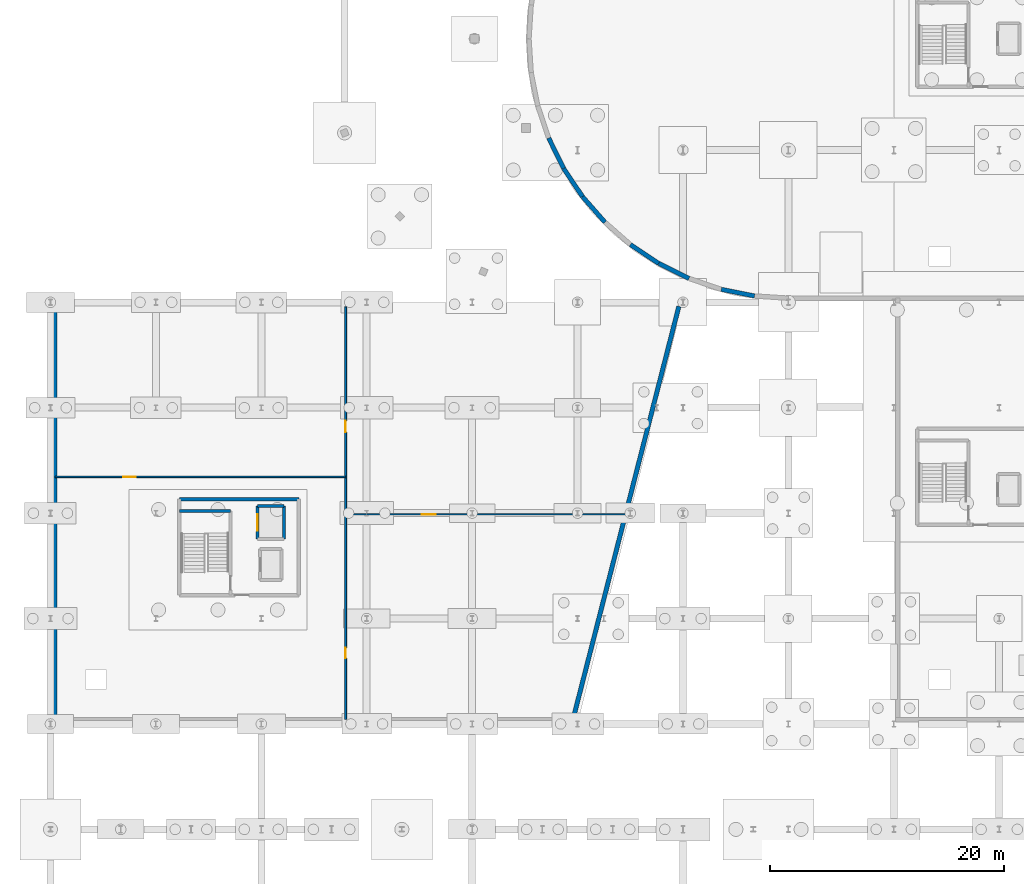
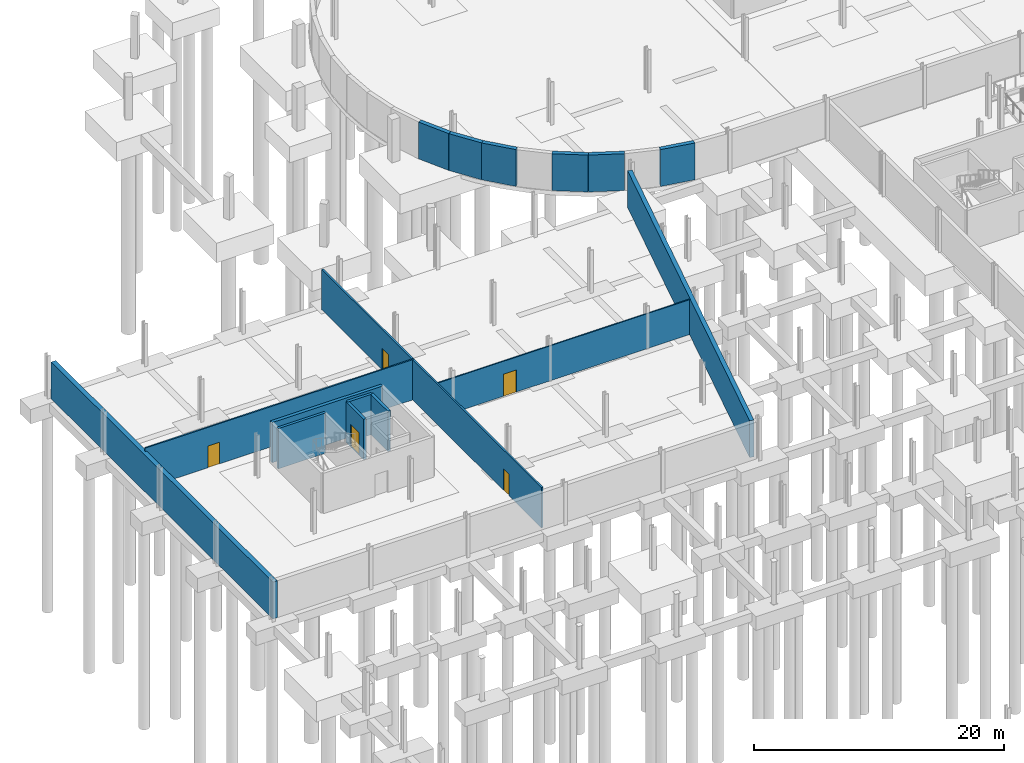
# One storey, part 34 of 42: 16 walls, 5 doors, 5 openings.
"""IFC4 building model written with IfcOpenShell, lengths in metres."""

from ifc_helpers import new_model, si_unit, direction, frame, frame_2d, origin, place, context, subcontext, project, spatial, rectangle, extrude, material, layer, layer_set, type_object, element, fill, save


model = new_model("IFC4")

# Units and contexts
model_context = context("Model", 3, precision=1e-05, world=origin(), true_north=direction((0.0, 1.0)))
body_context = subcontext(model_context, "Body", "Model", "MODEL_VIEW")
ifc_project = project(units=[si_unit("LENGTHUNIT", "METRE"), si_unit("AREAUNIT", "SQUARE_METRE"), si_unit("VOLUMEUNIT", "CUBIC_METRE"), si_unit("PLANEANGLEUNIT", "RADIAN"), si_unit("MASSUNIT", "GRAM", prefix="KILO")], contexts=[model_context])

# Site, building, storey
site_placement = place(None, origin())
site = spatial("IfcSite", under=ifc_project, at=site_placement, CompositionType="ELEMENT")
building_placement = place(site_placement, origin())
building = spatial("IfcBuilding", under=site, at=building_placement, Name="Deido Ridge Mobility Hub", CompositionType="ELEMENT")
storey_placement = place(building_placement, frame((0.0, 0.0, -4.199951171875)))
storey = spatial("IfcBuildingStorey", under=building, at=storey_placement, Name="B1", CompositionType="ELEMENT", Elevation=-4.199951171875)

# Wall, opening, door
ifc_material_1 = material(Name="Concrete blockwork masonry", Category="masonry")
ifc_layer_1 = layer(ifc_material_1, 0.110107421875, Name="Concrete blockwork masonry")
ifc_layer_set_1 = layer_set([ifc_layer_1], Name="Concrete blockwork masonry")
wall_type_1 = type_object("IfcWallType", Name="WL-PRT-BLK-110", PredefinedType="PARTITIONING", material=ifc_layer_set_1)
wall_1_placement = place(storey_placement, frame((25.199951171875, 62.89990234375, 0.0), z_axis=(0.0, 0.0, 1.0), x_axis=(1.0, 0.0, 0.0)))
wall_1 = element("IfcWall", 1, at=wall_1_placement, inside=storey, type_object=wall_type_1, Name="V5 east cross partition (B1)", PredefinedType="PARTITIONING", context=body_context, shape_type="SweptSolid", body=[
    extrude(rectangle(XDim=23.97509765625, YDim=0.110107421875, at=frame_2d((11.987548828125, 0.0))), origin(), (0.0, 0.0, 1.0), 3.4150390625),
])
opening_1_placement = place(wall_1_placement, frame((6.5, 0.0, 0.0)))
opening_1 = element("IfcOpeningElement", 2, at=opening_1_placement, cuts=wall_1, Name="Opening DR-B1-202", PredefinedType="OPENING", context=body_context, shape_type="SweptSolid", body=[
    extrude(rectangle(XDim=1.179931640625, YDim=2.14990234375, at=frame_2d((0.58984375, 1.074951171875))), frame((0.0, 0.06494140625, 0.0), z_axis=(0.0, -1.0, 0.0), x_axis=(1.0, 0.0, 0.0)), (0.0, 0.0, 1.0), 0.130126953125),
])
ifc_material_2 = material(Name="Treated tropical hardwood timber D40", Category="wood")
door_type_1 = type_object("IfcDoorType", Name="DR-INT-1180X2150", OperationType="NOTDEFINED", PredefinedType="DOOR", material=ifc_material_2)
door_1_placement = place(opening_1_placement, origin())
door_1 = element("IfcDoor", 3, at=door_1_placement, inside=storey, type_object=door_type_1, Name="DR-I0202 V5 east cross door (B1)", OperationType="SINGLE_SWING_LEFT", OverallHeight=2.14990234375, OverallWidth=1.179931640625, PredefinedType="DOOR", context=body_context, shape_type="SweptSolid", body=[
    extrude(rectangle(XDim=1.179931640625, YDim=2.14990234375, at=frame_2d((0.58984375, 1.074951171875))), frame((0.0, 0.02490234375, 0.0), z_axis=(0.0, -1.0, 0.0), x_axis=(1.0, 0.0, 0.0)), (0.0, 0.0, 1.0), 0.050048828125),
])
fill(opening_1, door_1)

ifc_layer_2 = layer(ifc_material_1, 0.1298828125, Name="Concrete blockwork masonry")
ifc_layer_set_2 = layer_set([ifc_layer_2], Name="Concrete blockwork masonry")
wall_type_2 = type_object("IfcWallType", Name="WL-PRT-BLK-130", PredefinedType="PARTITIONING", material=ifc_layer_set_2)
wall_2_placement = place(storey_placement, frame((0.39990234375, 66.10009765625, 0.0), z_axis=(0.0, 0.0, 1.0), x_axis=(1.0, 0.0, 0.0)))
wall_2 = element("IfcWall", 4, at=wall_2_placement, inside=storey, type_object=wall_type_2, Name="V5 west cross partition (B1)", PredefinedType="PARTITIONING", context=body_context, shape_type="SweptSolid", body=[
    extrude(rectangle(XDim=24.800048828125, YDim=0.1298828125, at=frame_2d((12.39990234375, 0.0))), origin(), (0.0, 0.0, 1.0), 3.93994140625),
])
opening_2_placement = place(wall_2_placement, frame((5.800048828125, 0.0, 0.0)))
opening_2 = element("IfcOpeningElement", 5, at=opening_2_placement, cuts=wall_2, Name="Opening DR-B1-201", PredefinedType="OPENING", context=body_context, shape_type="SweptSolid", body=[
    extrude(rectangle(XDim=1.080078125, YDim=2.1201171875, at=frame_2d((0.5400390625, 1.06005859375))), frame((0.0, 0.074951171875, 0.0), z_axis=(0.0, -1.0, 0.0), x_axis=(1.0, 0.0, 0.0)), (0.0, 0.0, 1.0), 0.14990234375),
])
door_type_2 = type_object("IfcDoorType", Name="DR-INT-1080X2120", OperationType="NOTDEFINED", PredefinedType="DOOR", material=ifc_material_2)
door_2_placement = place(opening_2_placement, origin())
door_2 = element("IfcDoor", 6, at=door_2_placement, inside=storey, type_object=door_type_2, Name="DR-I0201 V5 west cross door (B1)", OperationType="SINGLE_SWING_RIGHT", OverallHeight=2.1201171875, OverallWidth=1.080078125, PredefinedType="DOOR", context=body_context, shape_type="SweptSolid", body=[
    extrude(rectangle(XDim=1.080078125, YDim=2.1201171875, at=frame_2d((0.5400390625, 1.06005859375))), frame((0.0, 0.02490234375, 0.0), z_axis=(0.0, -1.0, 0.0), x_axis=(1.0, 0.0, 0.0)), (0.0, 0.0, 1.0), 0.050048828125),
])
fill(opening_2, door_2)

# Wall, openings, doors
ifc_layer_3 = layer(ifc_material_1, 0.159912109375, Name="Concrete blockwork masonry")
ifc_layer_set_3 = layer_set([ifc_layer_3], Name="Concrete blockwork masonry")
wall_type_3 = type_object("IfcWallType", Name="WL-PRT-BLK-160", PredefinedType="PARTITIONING", material=ifc_layer_set_3)
wall_3_placement = place(storey_placement, frame((25.199951171875, 45.39990234375, 0.0), z_axis=(0.0, 0.0, 1.0), x_axis=(0.0, 1.0, 0.0)))
wall_3 = element("IfcWall", 7, at=wall_3_placement, inside=storey, type_object=wall_type_3, Name="V5 hall longitudinal partition (B1)", PredefinedType="PARTITIONING", context=body_context, shape_type="SweptSolid", body=[
    extrude(rectangle(XDim=35.2001953125, YDim=0.159912109375, at=frame_2d((17.60009765625, 0.0))), origin(), (0.0, 0.0, 1.0), 3.93994140625),
])
opening_3_placement = place(wall_3_placement, frame((5.199951171875, 0.0, 0.0)))
opening_3 = element("IfcOpeningElement", 8, at=opening_3_placement, cuts=wall_3, Name="Opening DR-B1-199", PredefinedType="OPENING", context=body_context, shape_type="SweptSolid", body=[
    extrude(rectangle(XDim=0.89990234375, YDim=2.10009765625, at=frame_2d((0.449951171875, 1.050048828125))), frame((0.0, 0.08984375, 0.0), z_axis=(0.0, -1.0, 0.0), x_axis=(1.0, 0.0, 0.0)), (0.0, 0.0, 1.0), 0.179931640625),
])
opening_4_placement = place(wall_3_placement, frame((24.5, 0.0, 0.0)))
opening_4 = element("IfcOpeningElement", 9, at=opening_4_placement, cuts=wall_3, Name="Opening DR-B1-200", PredefinedType="OPENING", context=body_context, shape_type="SweptSolid", body=[
    extrude(rectangle(XDim=1.0, YDim=2.10009765625, at=frame_2d((0.5, 1.050048828125))), frame((0.0, 0.08984375, 0.0), z_axis=(0.0, -1.0, 0.0), x_axis=(1.0, 0.0, 0.0)), (0.0, 0.0, 1.0), 0.179931640625),
])
door_type_3 = type_object("IfcDoorType", Name="DR-INT-1000X2100", OperationType="NOTDEFINED", PredefinedType="DOOR", material=ifc_material_2)
door_3_placement = place(opening_4_placement, origin())
door_3 = element("IfcDoor", 10, at=door_3_placement, inside=storey, type_object=door_type_3, Name="DR-I0200 V5 north hall door (B1)", OperationType="SINGLE_SWING_LEFT", OverallHeight=2.10009765625, OverallWidth=1.0, PredefinedType="DOOR", context=body_context, shape_type="SweptSolid", body=[
    extrude(rectangle(XDim=1.0, YDim=2.10009765625, at=frame_2d((0.5, 1.050048828125))), frame((0.0, 0.02490234375, 0.0), z_axis=(0.0, -1.0, 0.0), x_axis=(1.0, 0.0, 0.0)), (0.0, 0.0, 1.0), 0.050048828125),
])
fill(opening_4, door_3)
door_type_4 = type_object("IfcDoorType", Name="DR-INT-900X2100", OperationType="NOTDEFINED", PredefinedType="DOOR", material=ifc_material_2)
door_4_placement = place(opening_3_placement, origin())
door_4 = element("IfcDoor", 11, at=door_4_placement, inside=storey, type_object=door_type_4, Name="DR-I0199 V5 south hall door (B1)", OperationType="SINGLE_SWING_RIGHT", OverallHeight=2.10009765625, OverallWidth=0.89990234375, PredefinedType="DOOR", context=body_context, shape_type="SweptSolid", body=[
    extrude(rectangle(XDim=0.89990234375, YDim=2.10009765625, at=frame_2d((0.449951171875, 1.050048828125))), frame((0.0, 0.02490234375, 0.0), z_axis=(0.0, -1.0, 0.0), x_axis=(1.0, 0.0, 0.0)), (0.0, 0.0, 1.0), 0.050048828125),
])
fill(opening_3, door_4)

# Walls
ifc_material_3 = material(Name="Concrete C40/50", Category="concrete")
ifc_layer_4 = layer(ifc_material_3, 0.3798828125, Name="Concrete C40/50")
ifc_layer_set_4 = layer_set([ifc_layer_4], Name="Concrete C40/50")
wall_type_4 = type_object("IfcWallType", Name="WL-RET-RC-380", PredefinedType="USERDEFINED", material=ifc_layer_set_4)
wall_4_placement = place(storey_placement, frame((44.64990234375, 45.5400390625, 0.0), z_axis=(0.0, 0.0, 1.0), x_axis=(0.248309877868, 0.968680651481, 0.0)))
element("IfcWall", 12, at=wall_4_placement, inside=storey, type_object=wall_type_4, Name="Basement perimeter retaining wall", ObjectType="RETAINING WALL", PredefinedType="USERDEFINED", context=body_context, shape_type="SweptSolid", body=[
    extrude(rectangle(XDim=36.2451171875, YDim=0.3798828125, at=frame_2d((18.12255859375, 0.0))), origin(), (0.0, 0.0, 1.0), 3.599853515625),
])
wall_5_placement = place(storey_placement, frame((42.5361328125, 95.023681640625, 0.0), z_axis=(0.0, 0.0, 1.0), x_axis=(0.44221820297, -0.896907498554, 0.0)))
element("IfcWall", 13, at=wall_5_placement, inside=storey, type_object=wall_type_4, Name="Basement drum retaining wall", ObjectType="RETAINING WALL", PredefinedType="USERDEFINED", context=body_context, shape_type="SweptSolid", body=[
    extrude(rectangle(XDim=2.897216796875, YDim=0.3798828125, at=frame_2d((1.44873046875, 0.0))), origin(), (0.0, 0.0, 1.0), 3.599853515625),
])
wall_6_placement = place(storey_placement, frame((43.8173828125, 92.425048828125, 0.0), z_axis=(0.0, 0.0, 1.0), x_axis=(0.55559430206, -0.83145352938, 0.0)))
element("IfcWall", 14, at=wall_6_placement, inside=storey, type_object=wall_type_4, Name="Basement drum retaining wall", ObjectType="RETAINING WALL", PredefinedType="USERDEFINED", context=body_context, shape_type="SweptSolid", body=[
    extrude(rectangle(XDim=2.8974609375, YDim=0.3798828125, at=frame_2d((1.44873046875, 0.0))), origin(), (0.0, 0.0, 1.0), 3.599853515625),
])
wall_7_placement = place(storey_placement, frame((45.42724609375, 90.015869140625, 0.0), z_axis=(0.0, 0.0, 1.0), x_axis=(0.659375155779, -0.751814075381, 0.0)))
element("IfcWall", 15, at=wall_7_placement, inside=storey, type_object=wall_type_4, Name="Basement drum retaining wall", ObjectType="RETAINING WALL", PredefinedType="USERDEFINED", context=body_context, shape_type="SweptSolid", body=[
    extrude(rectangle(XDim=2.897216796875, YDim=0.3798828125, at=frame_2d((1.44873046875, 0.0))), origin(), (0.0, 0.0, 1.0), 3.599853515625),
])
wall_8_placement = place(storey_placement, frame((49.515869140625, 85.92724609375, 0.0), z_axis=(0.0, 0.0, 1.0), x_axis=(0.83145352938, -0.55559430206, 0.0)))
element("IfcWall", 16, at=wall_8_placement, inside=storey, type_object=wall_type_4, Name="Basement drum retaining wall", ObjectType="RETAINING WALL", PredefinedType="USERDEFINED", context=body_context, shape_type="SweptSolid", body=[
    extrude(rectangle(XDim=2.8974609375, YDim=0.3798828125, at=frame_2d((1.44873046875, 0.0))), origin(), (0.0, 0.0, 1.0), 3.599853515625),
])
wall_9_placement = place(storey_placement, frame((51.925048828125, 84.3173828125, 0.0), z_axis=(0.0, 0.0, 1.0), x_axis=(0.896907498554, -0.44221820297, 0.0)))
element("IfcWall", 17, at=wall_9_placement, inside=storey, type_object=wall_type_4, Name="Basement drum retaining wall", ObjectType="RETAINING WALL", PredefinedType="USERDEFINED", context=body_context, shape_type="SweptSolid", body=[
    extrude(rectangle(XDim=2.897216796875, YDim=0.3798828125, at=frame_2d((1.44873046875, 0.0))), origin(), (0.0, 0.0, 1.0), 3.599853515625),
])
wall_10_placement = place(storey_placement, frame((57.26708984375, 82.104736328125, 0.0), z_axis=(0.0, 0.0, 1.0), x_axis=(0.98079076097, -0.195062767323, 0.0)))
element("IfcWall", 18, at=wall_10_placement, inside=storey, type_object=wall_type_4, Name="Basement drum retaining wall", ObjectType="RETAINING WALL", PredefinedType="USERDEFINED", context=body_context, shape_type="SweptSolid", body=[
    extrude(rectangle(XDim=2.8974609375, YDim=0.3798828125, at=frame_2d((1.44873046875, 0.0))), origin(), (0.0, 0.0, 1.0), 3.599853515625),
])
ifc_layer_5 = layer(ifc_material_3, 0.419921875, Name="Concrete C40/50")
ifc_layer_set_5 = layer_set([ifc_layer_5], Name="Concrete C40/50")
wall_type_5 = type_object("IfcWallType", Name="WL-RET-RC-420", PredefinedType="USERDEFINED", material=ifc_layer_set_5)
wall_11_placement = place(storey_placement, frame((0.35009765625, 45.139892578125, 0.0), z_axis=(0.0, 0.0, 1.0), x_axis=(0.0, 1.0, 0.0)))
element("IfcWall", 19, at=wall_11_placement, inside=storey, type_object=wall_type_5, Name="Basement perimeter retaining wall", ObjectType="RETAINING WALL", PredefinedType="USERDEFINED", context=body_context, shape_type="SweptSolid", body=[
    extrude(rectangle(XDim=35.510009765625, YDim=0.419921875, at=frame_2d((17.7548828125, 0.0))), origin(), (0.0, 0.0, 1.0), 3.599853515625),
])
ifc_layer_6 = layer(ifc_material_3, 0.25, Name="Concrete C40/50")
ifc_layer_set_6 = layer_set([ifc_layer_6], Name="Concrete C40/50")
wall_type_6 = type_object("IfcWallType", Name="WL-SHR-RC-250", PredefinedType="SHEAR", material=ifc_layer_set_6)
wall_12_placement = place(storey_placement, frame((11.0, 63.199951171875, 0.0), z_axis=(0.0, 0.0, 1.0), x_axis=(1.0, 0.0, 0.0)))
element("IfcWall", 20, at=wall_12_placement, inside=storey, type_object=wall_type_6, Name="C6 stair shaft north wall", PredefinedType="SHEAR", context=body_context, shape_type="SweptSolid", body=[
    extrude(rectangle(XDim=4.360107421875, YDim=0.25, at=frame_2d((2.18017578125, 0.0))), origin(), (0.0, 0.0, 1.0), 3.93994140625),
])
wall_13_placement = place(storey_placement, frame((17.675048828125, 63.625, 0.0), z_axis=(0.0, 0.0, 1.0), x_axis=(1.0, 0.0, 0.0)))
element("IfcWall", 21, at=wall_13_placement, inside=storey, type_object=wall_type_6, Name="Lift GL2 north shaft wall", PredefinedType="SHEAR", context=body_context, shape_type="SweptSolid", body=[
    extrude(rectangle(XDim=2.25, YDim=0.25, at=frame_2d((1.125, 0.0))), origin(), (0.0, 0.0, 1.0), 3.93994140625),
])
wall_14_placement = place(storey_placement, frame((19.925048828125, 60.77490234375, 0.0), z_axis=(0.0, 0.0, 1.0), x_axis=(0.0, 1.0, 0.0)))
element("IfcWall", 22, at=wall_14_placement, inside=storey, type_object=wall_type_6, Name="Lift GL2 rear shaft wall", PredefinedType="SHEAR", context=body_context, shape_type="SweptSolid", body=[
    extrude(rectangle(XDim=2.85009765625, YDim=0.25, at=frame_2d((1.425048828125, 0.0))), origin(), (0.0, 0.0, 1.0), 3.93994140625),
])

# Wall, opening, door
wall_15_placement = place(storey_placement, frame((17.675048828125, 60.77490234375, 0.0), z_axis=(0.0, 0.0, 1.0), x_axis=(0.0, 1.0, 0.0)))
wall_15 = element("IfcWall", 23, at=wall_15_placement, inside=storey, type_object=wall_type_6, Name="Lift GL2 landing wall", PredefinedType="SHEAR", context=body_context, shape_type="SweptSolid", body=[
    extrude(rectangle(XDim=2.85009765625, YDim=0.25, at=frame_2d((1.425048828125, 0.0))), origin(), (0.0, 0.0, 1.0), 3.93994140625),
])
opening_5_placement = place(wall_15_placement, frame((0.72509765625, 0.0, 0.0)))
opening_5 = element("IfcOpeningElement", 24, at=opening_5_placement, cuts=wall_15, Name="Opening LD-GL2", PredefinedType="OPENING", context=body_context, shape_type="SweptSolid", body=[
    extrude(rectangle(XDim=1.39990234375, YDim=2.199951171875, at=frame_2d((0.699951171875, 1.10009765625))), frame((0.0, 0.135009765625, 0.0), z_axis=(0.0, -1.0, 0.0), x_axis=(1.0, 0.0, 0.0)), (0.0, 0.0, 1.0), 0.27001953125),
])
ifc_material_4 = material(Name="Stainless steel 316", Category="steel")
door_type_5 = type_object("IfcDoorType", Name="DR-LND-GDS-1400X2200", OperationType="DOUBLE_DOOR_SLIDING", PredefinedType="USERDEFINED", material=ifc_material_4)
door_5_placement = place(opening_5_placement, origin())
door_5 = element("IfcDoor", 25, at=door_5_placement, inside=storey, type_object=door_type_5, Name="DR-I0121 Lift GL2 sliding landing door (B1)", ObjectType="LANDING DOOR", OperationType="DOUBLE_DOOR_SLIDING", OverallHeight=2.199951171875, OverallWidth=1.39990234375, PredefinedType="USERDEFINED", context=body_context, shape_type="SweptSolid", body=[
    extrude(rectangle(XDim=1.39990234375, YDim=2.199951171875, at=frame_2d((0.699951171875, 1.10009765625))), frame((0.0, 0.02490234375, 0.0), z_axis=(0.0, -1.0, 0.0), x_axis=(1.0, 0.0, 0.0)), (0.0, 0.0, 1.0), 0.050048828125),
])
fill(opening_5, door_5)

# Wall
ifc_layer_7 = layer(ifc_material_3, 0.300048828125, Name="Concrete C40/50")
ifc_layer_set_7 = layer_set([ifc_layer_7], Name="Concrete C40/50")
wall_type_7 = type_object("IfcWallType", Name="WL-SHR-RC-300", PredefinedType="SHEAR", material=ifc_layer_set_7)
wall_16_placement = place(storey_placement, frame((21.199951171875, 64.199951171875, 0.0), z_axis=(0.0, 0.0, 1.0), x_axis=(-1.0, 0.0, 0.0)))
element("IfcWall", 26, at=wall_16_placement, inside=storey, type_object=wall_type_7, Name="C6 north shear wall", PredefinedType="SHEAR", context=body_context, shape_type="SweptSolid", body=[
    extrude(rectangle(XDim=10.199951171875, YDim=0.300048828125, at=frame_2d((5.10009765625, 0.0))), origin(), (0.0, 0.0, 1.0), 3.93994140625),
])

save(model, "model.ifc")
